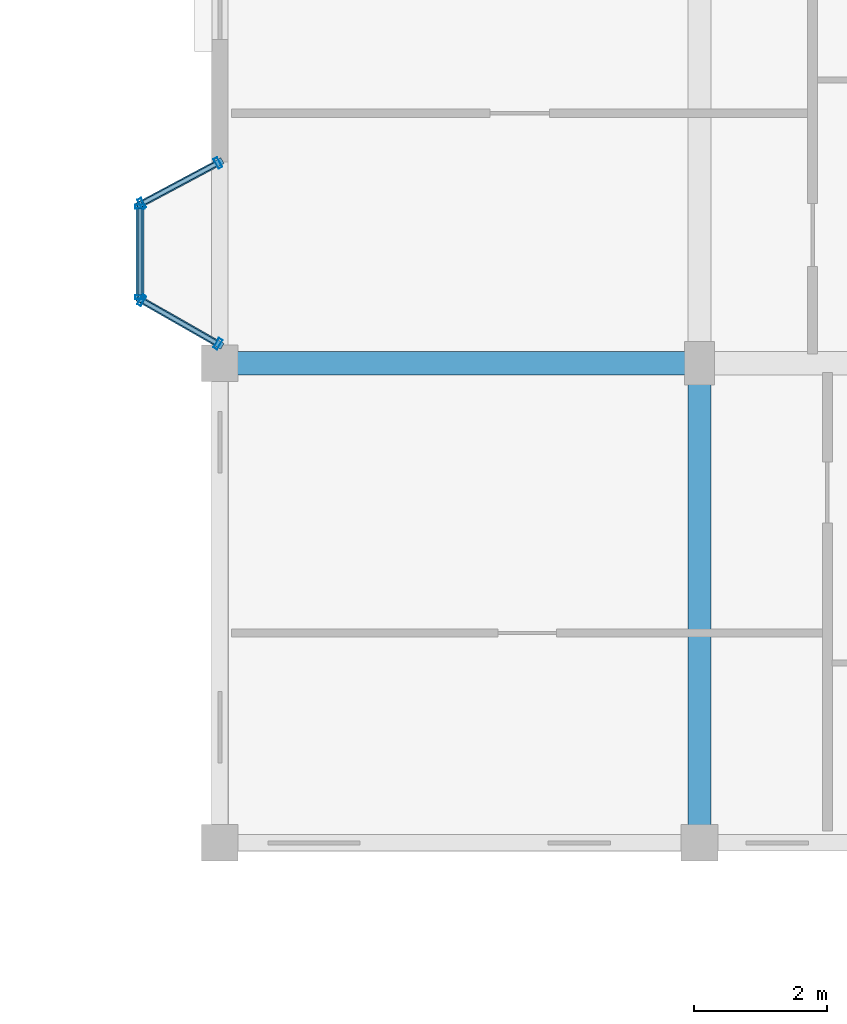
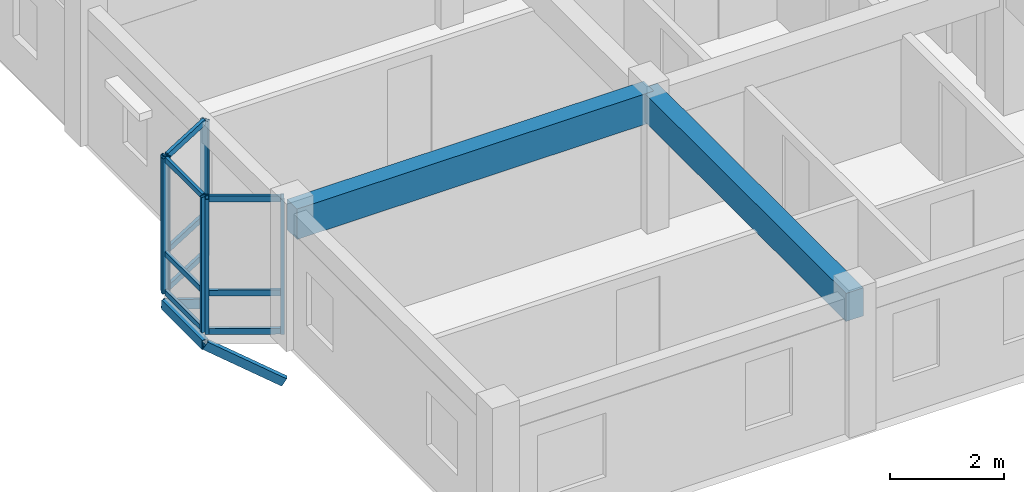
# One storey, part 21 of 77: 18 members, 2 beams, 3 elements without a shape of their own.
"""IFC4 building model written with IfcOpenShell, lengths in metres."""

from ifc_helpers import new_model, si_unit, direction, frame, origin, origin_2d, place, context, subcontext, project, spatial, rectangle, hollow_rectangle, extrude, material, layer, layer_set, material_profile, profile_set, type_object, element, aggregate, save


model = new_model("IFC4")

# Units and contexts
model_context = context("Model", 3, precision=1e-05, world=origin(), true_north=direction((0.0, 1.0)))
body_context = subcontext(model_context, "Body", "Model", "MODEL_VIEW")
ifc_project = project(units=[si_unit("LENGTHUNIT", "METRE"), si_unit("AREAUNIT", "SQUARE_METRE"), si_unit("VOLUMEUNIT", "CUBIC_METRE"), si_unit("PLANEANGLEUNIT", "RADIAN"), si_unit("MASSUNIT", "GRAM", prefix="KILO"), si_unit("THERMODYNAMICTEMPERATUREUNIT", "KELVIN"), si_unit("POWERUNIT", "WATT")], contexts=[model_context])

# Site, building, storey
site_placement = place(None, origin())
site = spatial("IfcSite", under=ifc_project, at=site_placement, CompositionType="ELEMENT")
building_placement = place(site_placement, origin())
building = spatial("IfcBuilding", under=site, at=building_placement, Name="Tavuni Mirador Residences", CompositionType="ELEMENT")
storey_placement = place(building_placement, frame((0.0, 0.0, 17.10009765625)))
storey = spatial("IfcBuildingStorey", under=building, at=storey_placement, Name="L05", CompositionType="ELEMENT", Elevation=17.10009765625)

# Beams
ifc_material_1 = material(Name="Precast concrete C40/50", Category="concrete")
ifc_material_profile_1 = material_profile(ifc_material_1, rectangle(XDim=0.35009765625, YDim=0.60009765625, at=origin_2d()), Name="PC 350x600", Category="concrete")
ifc_profile_set_1 = profile_set([ifc_material_profile_1], Name="Precast concrete C40/50")
beam_type_1 = type_object("IfcBeamType", Name="BT-B600", PredefinedType="BEAM", material=ifc_profile_set_1)
beam_1_placement = place(storey_placement, frame((97.199951171875, 86.39990234375, 2.58984375), z_axis=(0.0, 1.0, 0.0), x_axis=(-1.0, 0.0, 0.0)))
element("IfcBeam", 1, at=beam_1_placement, inside=storey, type_object=beam_type_1, Name="BMY-BLK-D-L05-01-00", PredefinedType="BEAM", context=body_context, shape_type="SweptSolid", body=[
    extrude(rectangle(XDim=0.35009765625, YDim=0.60009765625, at=origin_2d()), origin(), (0.0, 0.0, 1.0), 7.2001953125),
])
ifc_material_profile_2 = material_profile(ifc_material_1, rectangle(XDim=0.35009765625, YDim=0.64990234375, at=origin_2d()), Name="PC 350x650", Category="concrete")
ifc_profile_set_2 = profile_set([ifc_material_profile_2], Name="Precast concrete C40/50")
beam_type_2 = type_object("IfcBeamType", Name="BT-B650", PredefinedType="BEAM", material=ifc_profile_set_2)
beam_2_placement = place(storey_placement, frame((90.0, 93.60009765625, 2.56494140625), z_axis=(1.0, 0.0, 0.0), x_axis=(0.0, 1.0, 0.0)))
element("IfcBeam", 2, at=beam_2_placement, inside=storey, type_object=beam_type_2, Name="BMX-BLK-D-L05-00-01", PredefinedType="BEAM", context=body_context, shape_type="SweptSolid", body=[
    extrude(rectangle(XDim=0.35009765625, YDim=0.64990234375, at=origin_2d()), origin(), (0.0, 0.0, 1.0), 7.199951171875),
])

# Curtain wall, members
ifc_material_2 = material(Name="Anodised aluminium", Category="aluminium")
ifc_layer_1 = layer(ifc_material_2, 0.1650390625, Name="Anodised aluminium", Category="aluminium")
ifc_layer_set_1 = layer_set([ifc_layer_1], Name="Anodised aluminium")
curtain_wall_type_1 = type_object("IfcCurtainWallType", Name="CWT-MIR-A", PredefinedType="NOTDEFINED", material=ifc_layer_set_1)
curtain_wall_1_placement = place(storey_placement, origin())
curtain_wall_1 = element("IfcCurtainWall", 3, at=curtain_wall_1_placement, inside=storey, type_object=curtain_wall_type_1, Name="CW-MIR-D-W1-L05-MF", PredefinedType="NOTDEFINED")
ifc_material_profile_3 = material_profile(ifc_material_2, hollow_rectangle(XDim=0.06005859375, YDim=0.139892578125, WallThickness=0.00390625, at=origin_2d()), Name="ALU 60x140x4.0", Category="aluminium")
ifc_profile_set_3 = profile_set([ifc_material_profile_3], Name="Anodised aluminium")
member_type_1 = type_object("IfcMemberType", Name="CWM-140", PredefinedType="MULLION", material=ifc_profile_set_3)
member_1_placement = place(storey_placement, frame((88.800048828125, 95.949951171875, 0.0), z_axis=(0.0, 0.0, 1.0), x_axis=(0.0, -1.0, 0.0)))
member_1 = element("IfcMember", 4, at=member_1_placement, type_object=member_type_1, Name="CW-01 mullion 1", PredefinedType="MULLION", context=body_context, shape_type="SweptSolid", body=[
    extrude(hollow_rectangle(XDim=0.06005859375, YDim=0.139892578125, WallThickness=0.00390625, at=origin_2d()), origin(), (0.0, 0.0, 1.0), 2.889892578125),
])
member_2_placement = place(storey_placement, frame((88.800048828125, 94.590087890625, 0.0), z_axis=(0.0, 0.0, 1.0), x_axis=(0.0, -1.0, 0.0)))
member_2 = element("IfcMember", 5, at=member_2_placement, type_object=member_type_1, Name="CW-01 mullion 2", PredefinedType="MULLION", context=body_context, shape_type="SweptSolid", body=[
    extrude(hollow_rectangle(XDim=0.06005859375, YDim=0.139892578125, WallThickness=0.00390625, at=origin_2d()), origin(), (0.0, 0.0, 1.0), 2.889892578125),
])

ifc_layer_2 = layer(ifc_material_2, 0.159912109375, Name="Anodised aluminium", Category="aluminium")
ifc_layer_set_2 = layer_set([ifc_layer_2], Name="Anodised aluminium")
curtain_wall_type_2 = type_object("IfcCurtainWallType", Name="CWT-MIR-D", PredefinedType="NOTDEFINED", material=ifc_layer_set_2)
curtain_wall_2_placement = place(storey_placement, origin())
curtain_wall_2 = element("IfcCurtainWall", 6, at=curtain_wall_2_placement, inside=storey, type_object=curtain_wall_type_2, Name="CW-MIR-D-W1-L05-M1", PredefinedType="NOTDEFINED")
ifc_material_profile_4 = material_profile(ifc_material_2, hollow_rectangle(XDim=0.06494140625, YDim=0.1650390625, WallThickness=0.00439453125, at=origin_2d()), Name="ALU 65x165x4.5", Category="aluminium")
ifc_profile_set_4 = profile_set([ifc_material_profile_4], Name="Anodised aluminium")
member_type_2 = type_object("IfcMemberType", Name="CWM-165", PredefinedType="MULLION", material=ifc_profile_set_4)
member_3_placement = place(storey_placement, frame((89.971435546875, 96.604736328125, 0.0), z_axis=(0.0, 0.0, 1.0), x_axis=(-0.882352941175, -0.470588235296, 0.0)))
member_3 = element("IfcMember", 7, at=member_3_placement, type_object=member_type_2, Name="CW-04 mullion 1", PredefinedType="MULLION", context=body_context, shape_type="SweptSolid", body=[
    extrude(hollow_rectangle(XDim=0.06494140625, YDim=0.1650390625, WallThickness=0.00439453125, at=origin_2d()), origin(), (0.0, 0.0, 1.0), 2.889892578125),
])
member_4_placement = place(storey_placement, frame((88.82861328125, 95.995361328125, 0.0), z_axis=(0.0, 0.0, 1.0), x_axis=(-0.882352941175, -0.470588235296, 0.0)))
member_4 = element("IfcMember", 8, at=member_4_placement, type_object=member_type_2, Name="CW-04 mullion 2", PredefinedType="MULLION", context=body_context, shape_type="SweptSolid", body=[
    extrude(hollow_rectangle(XDim=0.06494140625, YDim=0.1650390625, WallThickness=0.00439453125, at=origin_2d()), origin(), (0.0, 0.0, 1.0), 2.889892578125),
])

ifc_layer_3 = layer(ifc_material_2, 0.14990234375, Name="Anodised aluminium", Category="aluminium")
ifc_layer_set_3 = layer_set([ifc_layer_3], Name="Anodised aluminium")
curtain_wall_type_3 = type_object("IfcCurtainWallType", Name="CWT-MIR-B", PredefinedType="NOTDEFINED", material=ifc_layer_set_3)
curtain_wall_3_placement = place(storey_placement, origin())
curtain_wall_3 = element("IfcCurtainWall", 9, at=curtain_wall_3_placement, inside=storey, type_object=curtain_wall_type_3, Name="CW-MIR-D-W1-L05-M2", PredefinedType="NOTDEFINED")
member_5_placement = place(storey_placement, frame((88.828125, 94.5439453125, 0.0), z_axis=(0.0, 0.0, 1.0), x_axis=(0.868465738194, -0.495749192217, 0.0)))
member_5 = element("IfcMember", 10, at=member_5_placement, type_object=member_type_2, Name="CW-02 mullion 1", PredefinedType="MULLION", context=body_context, shape_type="SweptSolid", body=[
    extrude(hollow_rectangle(XDim=0.06494140625, YDim=0.1650390625, WallThickness=0.00439453125, at=origin_2d()), origin(), (0.0, 0.0, 1.0), 2.889892578125),
])
member_6_placement = place(storey_placement, frame((89.9716796875, 93.89111328125, 0.0), z_axis=(0.0, 0.0, 1.0), x_axis=(0.868465738194, -0.495749192217, 0.0)))
member_6 = element("IfcMember", 11, at=member_6_placement, type_object=member_type_2, Name="CW-02 mullion 2", PredefinedType="MULLION", context=body_context, shape_type="SweptSolid", body=[
    extrude(hollow_rectangle(XDim=0.06494140625, YDim=0.1650390625, WallThickness=0.00439453125, at=origin_2d()), origin(), (0.0, 0.0, 1.0), 2.889892578125),
])

# Member
ifc_material_profile_5 = material_profile(ifc_material_2, hollow_rectangle(XDim=0.06005859375, YDim=0.110107421875, WallThickness=0.00390625, at=origin_2d()), Name="ALU 60x110x4.0", Category="aluminium")
ifc_profile_set_5 = profile_set([ifc_material_profile_5], Name="Anodised aluminium")
member_type_3 = type_object("IfcMemberType", Name="CWT-110", PredefinedType="USERDEFINED", material=ifc_profile_set_5)
member_7_placement = place(storey_placement, frame((88.800048828125, 95.919921875, 0.02978515625), z_axis=(0.0, -1.0, 0.0), x_axis=(1.0, 0.0, 0.0)))
member_7 = element("IfcMember", 12, at=member_7_placement, type_object=member_type_3, Name="CW-01 transom 1.1", ObjectType="TRANSOM", PredefinedType="USERDEFINED", context=body_context, shape_type="SweptSolid", body=[
    extrude(hollow_rectangle(XDim=0.06005859375, YDim=0.110107421875, WallThickness=0.00390625, at=origin_2d()), origin(), (0.0, 0.0, 1.0), 1.2998046875),
])

member_8_placement = place(storey_placement, frame((88.800048828125, 95.919921875, 0.849853515625), z_axis=(0.0, -1.0, 0.0), x_axis=(1.0, 0.0, 0.0)))
member_8 = element("IfcMember", 13, at=member_8_placement, type_object=member_type_3, Name="CW-01 transom 1.2", ObjectType="TRANSOM", PredefinedType="USERDEFINED", context=body_context, shape_type="SweptSolid", body=[
    extrude(hollow_rectangle(XDim=0.06005859375, YDim=0.110107421875, WallThickness=0.00390625, at=origin_2d()), origin(), (0.0, 0.0, 1.0), 1.2998046875),
])

member_9_placement = place(storey_placement, frame((88.800048828125, 95.919921875, 2.85986328125), z_axis=(0.0, -1.0, 0.0), x_axis=(1.0, 0.0, 0.0)))
member_9 = element("IfcMember", 14, at=member_9_placement, type_object=member_type_3, Name="CW-01 transom 1.3", ObjectType="TRANSOM", PredefinedType="USERDEFINED", context=body_context, shape_type="SweptSolid", body=[
    extrude(hollow_rectangle(XDim=0.06005859375, YDim=0.110107421875, WallThickness=0.00390625, at=origin_2d()), origin(), (0.0, 0.0, 1.0), 1.2998046875),
])

aggregate(curtain_wall_1, [member_1, member_2, member_7, member_8, member_9])

ifc_material_profile_6 = material_profile(ifc_material_2, hollow_rectangle(XDim=0.06494140625, YDim=0.125, WallThickness=0.00439453125, at=origin_2d()), Name="ALU 65x125x4.5", Category="aluminium")
ifc_profile_set_6 = profile_set([ifc_material_profile_6], Name="Anodised aluminium")
member_type_4 = type_object("IfcMemberType", Name="CWT-125", PredefinedType="USERDEFINED", material=ifc_profile_set_6)
member_10_placement = place(storey_placement, frame((89.942626953125, 96.58935546875, 0.032470703125), z_axis=(-0.882325465843, -0.470639747922, 0.0), x_axis=(0.470639747922, -0.882325465843, 0.0)))
member_10 = element("IfcMember", 15, at=member_10_placement, type_object=member_type_4, Name="CW-04 transom 1.1", ObjectType="TRANSOM", PredefinedType="USERDEFINED", context=body_context, shape_type="SweptSolid", body=[
    extrude(hollow_rectangle(XDim=0.06494140625, YDim=0.125, WallThickness=0.00439453125, at=origin_2d()), origin(), (0.0, 0.0, 1.0), 1.22998046875),
])

member_11_placement = place(storey_placement, frame((89.942626953125, 96.58935546875, 0.849853515625), z_axis=(-0.882325465843, -0.470639747922, 0.0), x_axis=(0.470639747922, -0.882325465843, 0.0)))
member_11 = element("IfcMember", 16, at=member_11_placement, type_object=member_type_4, Name="CW-04 transom 1.2", ObjectType="TRANSOM", PredefinedType="USERDEFINED", context=body_context, shape_type="SweptSolid", body=[
    extrude(hollow_rectangle(XDim=0.06494140625, YDim=0.125, WallThickness=0.00439453125, at=origin_2d()), origin(), (0.0, 0.0, 1.0), 1.22998046875),
])

member_12_placement = place(storey_placement, frame((89.942626953125, 96.58935546875, 2.857421875), z_axis=(-0.882325465843, -0.470639747922, 0.0), x_axis=(0.470639747922, -0.882325465843, 0.0)))
member_12 = element("IfcMember", 17, at=member_12_placement, type_object=member_type_4, Name="CW-04 transom 1.3", ObjectType="TRANSOM", PredefinedType="USERDEFINED", context=body_context, shape_type="SweptSolid", body=[
    extrude(hollow_rectangle(XDim=0.06494140625, YDim=0.125, WallThickness=0.00439453125, at=origin_2d()), origin(), (0.0, 0.0, 1.0), 1.22998046875),
])

aggregate(curtain_wall_2, [member_3, member_4, member_10, member_11, member_12])

member_13_placement = place(storey_placement, frame((88.8564453125, 94.52783203125, 0.032470703125), z_axis=(0.868459090685, -0.495760837306, 0.0), x_axis=(0.495760837306, 0.868459090685, 0.0)))
member_13 = element("IfcMember", 18, at=member_13_placement, type_object=member_type_4, Name="CW-02 transom 1.1", ObjectType="TRANSOM", PredefinedType="USERDEFINED", context=body_context, shape_type="SweptSolid", body=[
    extrude(hollow_rectangle(XDim=0.06494140625, YDim=0.125, WallThickness=0.00439453125, at=origin_2d()), origin(), (0.0, 0.0, 1.0), 1.251708984375),
])

member_14_placement = place(storey_placement, frame((88.8564453125, 94.52783203125, 0.849853515625), z_axis=(0.868459090685, -0.495760837306, 0.0), x_axis=(0.495760837306, 0.868459090685, 0.0)))
member_14 = element("IfcMember", 19, at=member_14_placement, type_object=member_type_4, Name="CW-02 transom 1.2", ObjectType="TRANSOM", PredefinedType="USERDEFINED", context=body_context, shape_type="SweptSolid", body=[
    extrude(hollow_rectangle(XDim=0.06494140625, YDim=0.125, WallThickness=0.00439453125, at=origin_2d()), origin(), (0.0, 0.0, 1.0), 1.251708984375),
])

member_15_placement = place(storey_placement, frame((88.8564453125, 94.52783203125, 2.857421875), z_axis=(0.868459090685, -0.495760837306, 0.0), x_axis=(0.495760837306, 0.868459090685, 0.0)))
member_15 = element("IfcMember", 20, at=member_15_placement, type_object=member_type_4, Name="CW-02 transom 1.3", ObjectType="TRANSOM", PredefinedType="USERDEFINED", context=body_context, shape_type="SweptSolid", body=[
    extrude(hollow_rectangle(XDim=0.06494140625, YDim=0.125, WallThickness=0.00439453125, at=origin_2d()), origin(), (0.0, 0.0, 1.0), 1.251708984375),
])

aggregate(curtain_wall_3, [member_5, member_6, member_13, member_14, member_15])

# Members
ifc_material_3 = material(Name="Structural steel S355", Category="steel")
ifc_material_profile_7 = material_profile(ifc_material_3, hollow_rectangle(XDim=0.10009765625, YDim=0.179931640625, WallThickness=0.008056640625, at=origin_2d()), Name="RHS 180x100x8.0", Category="steel")
ifc_profile_set_7 = profile_set([ifc_material_profile_7], Name="Structural steel S355")
member_type_5 = type_object("IfcMemberType", Name="MT-BR-RHS180", PredefinedType="BRACE", material=ifc_profile_set_7)
member_16_placement = place(storey_placement, frame((90.0, 93.875, -1.050048828125), z_axis=(-0.753903905175, 0.430407804256, 0.496364809185), x_axis=(-0.495796390047, -0.868438794398, 0.0)))
element("IfcMember", 21, at=member_16_placement, inside=storey, type_object=member_type_5, Name="MBRK-MIR-D-W1-L05-1", PredefinedType="BRACE", context=body_context, shape_type="SweptSolid", body=[
    extrude(hollow_rectangle(XDim=0.10009765625, YDim=0.179931640625, WallThickness=0.008056640625, at=origin_2d()), origin(), (0.0, 0.0, 1.0), 1.591552734375),
])
member_17_placement = place(storey_placement, frame((90.0, 96.6201171875, -1.050048828125), z_axis=(-0.762920992699, -0.406994678099, 0.502301593565), x_axis=(0.470681405175, -0.882303244255, 0.0)))
element("IfcMember", 22, at=member_17_placement, inside=storey, type_object=member_type_5, Name="MBRK-MIR-D-W1-L05-2", PredefinedType="BRACE", context=body_context, shape_type="SweptSolid", body=[
    extrude(hollow_rectangle(XDim=0.10009765625, YDim=0.179931640625, WallThickness=0.008056640625, at=origin_2d()), origin(), (0.0, 0.0, 1.0), 1.57275390625),
])
ifc_material_profile_8 = material_profile(ifc_material_3, hollow_rectangle(XDim=0.1201171875, YDim=0.199951171875, WallThickness=0.010009765625, at=origin_2d()), Name="RHS 200x120x10.0", Category="steel")
ifc_profile_set_8 = profile_set([ifc_material_profile_8], Name="Structural steel S355")
member_type_6 = type_object("IfcMemberType", Name="MT-ST-RHS200", PredefinedType="STRUT", material=ifc_profile_set_8)
member_18_placement = place(storey_placement, frame((88.800048828125, 94.56005859375, -0.260009765625), z_axis=(0.0, 1.0, 0.0), x_axis=(-1.0, 0.0, 0.0)))
element("IfcMember", 23, at=member_18_placement, inside=storey, type_object=member_type_6, Name="MRIM-MIR-D-W1-L05", PredefinedType="STRUT", context=body_context, shape_type="SweptSolid", body=[
    extrude(hollow_rectangle(XDim=0.1201171875, YDim=0.199951171875, WallThickness=0.010009765625, at=origin_2d()), origin(), (0.0, 0.0, 1.0), 1.419921875),
])

save(model, "model.ifc")
